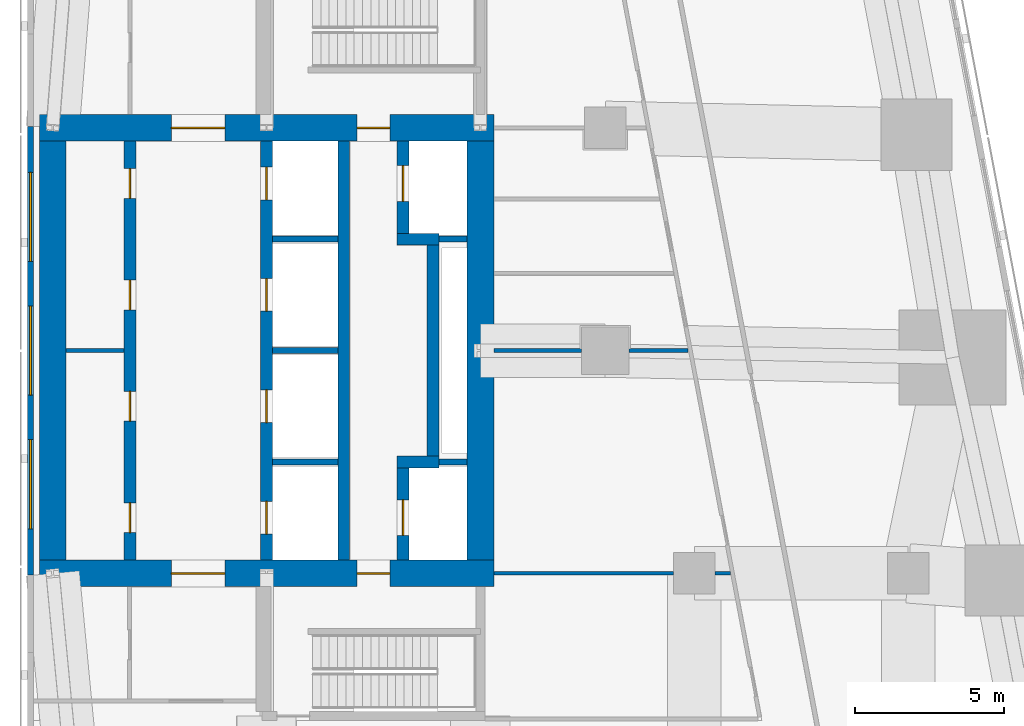
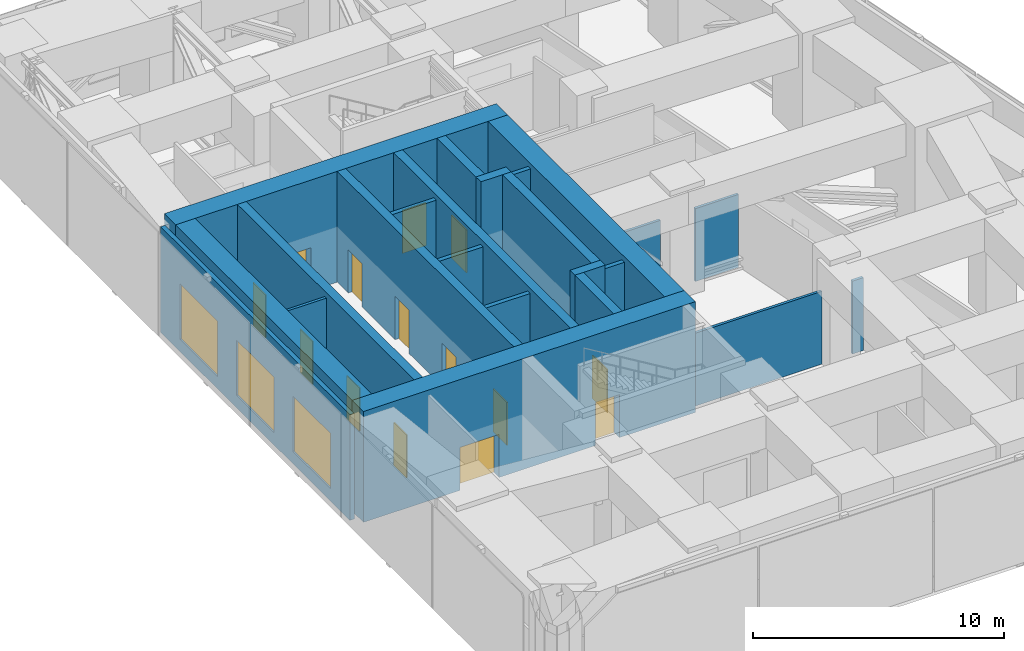
# One storey, part 5 of 9: 23 walls, 14 doors, 3 windows, 17 openings.
"""IFC4 building model written with IfcOpenShell, lengths in metres."""

from ifc_helpers import new_model, si_unit, direction, frame, frame_2d, origin, place, context, subcontext, project, spatial, rectangle, extrude, material, layer, layer_set, type_object, element, fill, save


model = new_model("IFC4")

# Units and contexts
model_context = context("Model", 3, precision=1e-05, world=origin(), true_north=direction((0.0, 1.0)))
body_context = subcontext(model_context, "Body", "Model", "MODEL_VIEW")
ifc_project = project(units=[si_unit("LENGTHUNIT", "METRE"), si_unit("AREAUNIT", "SQUARE_METRE"), si_unit("VOLUMEUNIT", "CUBIC_METRE"), si_unit("PLANEANGLEUNIT", "RADIAN"), si_unit("MASSUNIT", "GRAM", prefix="KILO")], contexts=[model_context])

# Site, building, storey
site_placement = place(None, origin())
site = spatial("IfcSite", under=ifc_project, at=site_placement, CompositionType="ELEMENT")
building_placement = place(site_placement, origin())
building = spatial("IfcBuilding", under=site, at=building_placement, Name="Sheger Commons Tower", CompositionType="ELEMENT")
storey_placement = place(building_placement, frame((0.0, 0.0, 246.199951171875)))
storey = spatial("IfcBuildingStorey", under=building, at=storey_placement, Name="L63", CompositionType="ELEMENT", Elevation=246.199951171875)

# Wall, openings, doors
ifc_material_1 = material(Name="Concrete C50/60", Category="concrete")
ifc_layer_1 = layer(ifc_material_1, 0.39990234375)
ifc_layer_set_1 = layer_set([ifc_layer_1], Name="CORE INNER WALL 400")
wall_type_1 = type_object("IfcWallType", Name="CORE INNER WALL 400", PredefinedType="SHEAR", material=ifc_layer_set_1)
wall_1_placement = place(storey_placement, frame((17.0, 15.449951171875, 0.0), z_axis=(0.0, 0.0, 1.0), x_axis=(0.0, 1.0, 0.0)))
wall_1 = element("IfcWall", 1, at=wall_1_placement, inside=storey, type_object=wall_type_1, Name="Core inner wall A L63", PredefinedType="SHEAR", context=body_context, shape_type="SweptSolid", body=[
    extrude(rectangle(XDim=14.10009765625, YDim=0.39990234375, at=frame_2d((7.050048828125, 0.0))), origin(), (0.0, 0.0, 1.0), 5.400146484375),
])
opening_1_placement = place(wall_1_placement, frame((0.925048828125, 0.0, 0.0)))
opening_1 = element("IfcOpeningElement", 2, at=opening_1_placement, cuts=wall_1, Name="Opening D4", PredefinedType="OPENING", context=body_context, shape_type="SweptSolid", body=[
    extrude(rectangle(XDim=1.0, YDim=2.10009765625, at=frame_2d((0.5, 1.050048828125))), frame((0.0, 0.2099609375, 0.0), z_axis=(0.0, -1.0, 0.0), x_axis=(1.0, 0.0, 0.0)), (0.0, 0.0, 1.0), 0.419921875),
])
opening_2_placement = place(wall_1_placement, frame((4.675048828125, 0.0, 0.0)))
opening_2 = element("IfcOpeningElement", 3, at=opening_2_placement, cuts=wall_1, Name="Opening D4", PredefinedType="OPENING", context=body_context, shape_type="SweptSolid", body=[
    extrude(rectangle(XDim=1.0, YDim=2.10009765625, at=frame_2d((0.5, 1.050048828125))), frame((0.0, 0.2099609375, 0.0), z_axis=(0.0, -1.0, 0.0), x_axis=(1.0, 0.0, 0.0)), (0.0, 0.0, 1.0), 0.419921875),
])
opening_3_placement = place(wall_1_placement, frame((8.425048828125, 0.0, 0.0)))
opening_3 = element("IfcOpeningElement", 4, at=opening_3_placement, cuts=wall_1, Name="Opening D4", PredefinedType="OPENING", context=body_context, shape_type="SweptSolid", body=[
    extrude(rectangle(XDim=1.0, YDim=2.10009765625, at=frame_2d((0.5, 1.050048828125))), frame((0.0, 0.2099609375, 0.0), z_axis=(0.0, -1.0, 0.0), x_axis=(1.0, 0.0, 0.0)), (0.0, 0.0, 1.0), 0.419921875),
])
opening_4_placement = place(wall_1_placement, frame((12.175048828125, 0.0, 0.0)))
opening_4 = element("IfcOpeningElement", 5, at=opening_4_placement, cuts=wall_1, Name="Opening D4", PredefinedType="OPENING", context=body_context, shape_type="SweptSolid", body=[
    extrude(rectangle(XDim=1.0, YDim=2.10009765625, at=frame_2d((0.5, 1.050048828125))), frame((0.0, 0.2099609375, 0.0), z_axis=(0.0, -1.0, 0.0), x_axis=(1.0, 0.0, 0.0)), (0.0, 0.0, 1.0), 0.419921875),
])
ifc_material_2 = material(Name="Steel door set, fire rated", Category="steel")
door_type_1 = type_object("IfcDoorType", Name="SERVICE DOOR 1000x2100", OperationType="NOTDEFINED", PredefinedType="DOOR", material=ifc_material_2)
door_1_placement = place(opening_1_placement, origin())
door_1 = element("IfcDoor", 6, at=door_1_placement, inside=storey, type_object=door_type_1, Name="Estate store door", OperationType="SINGLE_SWING_LEFT", OverallHeight=2.10009765625, OverallWidth=1.0, PredefinedType="DOOR", context=body_context, shape_type="SweptSolid", body=[
    extrude(rectangle(XDim=1.0, YDim=2.10009765625, at=frame_2d((0.5, 1.050048828125))), frame((0.0, 0.02490234375, 0.0), z_axis=(0.0, -1.0, 0.0), x_axis=(1.0, 0.0, 0.0)), (0.0, 0.0, 1.0), 0.050048828125),
])
fill(opening_1, door_1)
door_2_placement = place(opening_2_placement, origin())
door_2 = element("IfcDoor", 7, at=door_2_placement, inside=storey, type_object=door_type_1, Name="Estate store door", OperationType="SINGLE_SWING_RIGHT", OverallHeight=2.10009765625, OverallWidth=1.0, PredefinedType="DOOR", context=body_context, shape_type="SweptSolid", body=[
    extrude(rectangle(XDim=1.0, YDim=2.10009765625, at=frame_2d((0.5, 1.050048828125))), frame((0.0, 0.02490234375, 0.0), z_axis=(0.0, -1.0, 0.0), x_axis=(1.0, 0.0, 0.0)), (0.0, 0.0, 1.0), 0.050048828125),
])
fill(opening_2, door_2)
door_3_placement = place(opening_3_placement, origin())
door_3 = element("IfcDoor", 8, at=door_3_placement, inside=storey, type_object=door_type_1, Name="Electrical switch room door", OperationType="SINGLE_SWING_LEFT", OverallHeight=2.10009765625, OverallWidth=1.0, PredefinedType="DOOR", context=body_context, shape_type="SweptSolid", body=[
    extrude(rectangle(XDim=1.0, YDim=2.10009765625, at=frame_2d((0.5, 1.050048828125))), frame((0.0, 0.02490234375, 0.0), z_axis=(0.0, -1.0, 0.0), x_axis=(1.0, 0.0, 0.0)), (0.0, 0.0, 1.0), 0.050048828125),
])
fill(opening_3, door_3)
door_4_placement = place(opening_4_placement, origin())
door_4 = element("IfcDoor", 9, at=door_4_placement, inside=storey, type_object=door_type_1, Name="Electrical switch room door", OperationType="SINGLE_SWING_RIGHT", OverallHeight=2.10009765625, OverallWidth=1.0, PredefinedType="DOOR", context=body_context, shape_type="SweptSolid", body=[
    extrude(rectangle(XDim=1.0, YDim=2.10009765625, at=frame_2d((0.5, 1.050048828125))), frame((0.0, 0.02490234375, 0.0), z_axis=(0.0, -1.0, 0.0), x_axis=(1.0, 0.0, 0.0)), (0.0, 0.0, 1.0), 0.050048828125),
])
fill(opening_4, door_4)

wall_2_placement = place(storey_placement, frame((21.60009765625, 15.449951171875, 0.0), z_axis=(0.0, 0.0, 1.0), x_axis=(0.0, 1.0, 0.0)))
wall_2 = element("IfcWall", 10, at=wall_2_placement, inside=storey, type_object=wall_type_1, Name="Core inner wall L L63", PredefinedType="SHEAR", context=body_context, shape_type="SweptSolid", body=[
    extrude(rectangle(XDim=14.10009765625, YDim=0.39990234375, at=frame_2d((7.050048828125, 0.0))), origin(), (0.0, 0.0, 1.0), 5.400146484375),
])
opening_5_placement = place(wall_2_placement, frame((0.875, 0.0, 0.0)))
opening_5 = element("IfcOpeningElement", 11, at=opening_5_placement, cuts=wall_2, Name="Opening LD", PredefinedType="OPENING", context=body_context, shape_type="SweptSolid", body=[
    extrude(rectangle(XDim=1.10009765625, YDim=2.10009765625, at=frame_2d((0.550048828125, 1.050048828125))), frame((0.0, 0.2099609375, 0.0), z_axis=(0.0, -1.0, 0.0), x_axis=(1.0, 0.0, 0.0)), (0.0, 0.0, 1.0), 0.419921875),
])
opening_6_placement = place(wall_2_placement, frame((4.625, 0.0, 0.0)))
opening_6 = element("IfcOpeningElement", 12, at=opening_6_placement, cuts=wall_2, Name="Opening LD", PredefinedType="OPENING", context=body_context, shape_type="SweptSolid", body=[
    extrude(rectangle(XDim=1.10009765625, YDim=2.10009765625, at=frame_2d((0.550048828125, 1.050048828125))), frame((0.0, 0.2099609375, 0.0), z_axis=(0.0, -1.0, 0.0), x_axis=(1.0, 0.0, 0.0)), (0.0, 0.0, 1.0), 0.419921875),
])
opening_7_placement = place(wall_2_placement, frame((8.375, 0.0, 0.0)))
opening_7 = element("IfcOpeningElement", 13, at=opening_7_placement, cuts=wall_2, Name="Opening LD", PredefinedType="OPENING", context=body_context, shape_type="SweptSolid", body=[
    extrude(rectangle(XDim=1.10009765625, YDim=2.10009765625, at=frame_2d((0.550048828125, 1.050048828125))), frame((0.0, 0.2099609375, 0.0), z_axis=(0.0, -1.0, 0.0), x_axis=(1.0, 0.0, 0.0)), (0.0, 0.0, 1.0), 0.419921875),
])
opening_8_placement = place(wall_2_placement, frame((12.125, 0.0, 0.0)))
opening_8 = element("IfcOpeningElement", 14, at=opening_8_placement, cuts=wall_2, Name="Opening LD", PredefinedType="OPENING", context=body_context, shape_type="SweptSolid", body=[
    extrude(rectangle(XDim=1.10009765625, YDim=2.10009765625, at=frame_2d((0.550048828125, 1.050048828125))), frame((0.0, 0.2099609375, 0.0), z_axis=(0.0, -1.0, 0.0), x_axis=(1.0, 0.0, 0.0)), (0.0, 0.0, 1.0), 0.419921875),
])
ifc_material_3 = material(Name="Steel door set, fire rated", Category="steel")
door_type_2 = type_object("IfcDoorType", Name="LIFT LANDING DOOR 1100x2100", OperationType="DOUBLE_DOOR_SLIDING", PredefinedType="DOOR", material=ifc_material_3)
door_5_placement = place(opening_5_placement, origin())
door_5 = element("IfcDoor", 15, at=door_5_placement, inside=storey, type_object=door_type_2, Name="Lift LB1 landing door", OperationType="DOUBLE_DOOR_SLIDING", OverallHeight=2.10009765625, OverallWidth=1.10009765625, PredefinedType="DOOR", context=body_context, shape_type="SweptSolid", body=[
    extrude(rectangle(XDim=1.10009765625, YDim=2.10009765625, at=frame_2d((0.550048828125, 1.050048828125))), frame((0.0, 0.02490234375, 0.0), z_axis=(0.0, -1.0, 0.0), x_axis=(1.0, 0.0, 0.0)), (0.0, 0.0, 1.0), 0.050048828125),
])
fill(opening_5, door_5)
door_6_placement = place(opening_6_placement, origin())
door_6 = element("IfcDoor", 16, at=door_6_placement, inside=storey, type_object=door_type_2, Name="Lift LB2 landing door", OperationType="DOUBLE_DOOR_SLIDING", OverallHeight=2.10009765625, OverallWidth=1.10009765625, PredefinedType="DOOR", context=body_context, shape_type="SweptSolid", body=[
    extrude(rectangle(XDim=1.10009765625, YDim=2.10009765625, at=frame_2d((0.550048828125, 1.050048828125))), frame((0.0, 0.02490234375, 0.0), z_axis=(0.0, -1.0, 0.0), x_axis=(1.0, 0.0, 0.0)), (0.0, 0.0, 1.0), 0.050048828125),
])
fill(opening_6, door_6)
door_7_placement = place(opening_7_placement, origin())
door_7 = element("IfcDoor", 17, at=door_7_placement, inside=storey, type_object=door_type_2, Name="Lift LB3 landing door", OperationType="DOUBLE_DOOR_SLIDING", OverallHeight=2.10009765625, OverallWidth=1.10009765625, PredefinedType="DOOR", context=body_context, shape_type="SweptSolid", body=[
    extrude(rectangle(XDim=1.10009765625, YDim=2.10009765625, at=frame_2d((0.550048828125, 1.050048828125))), frame((0.0, 0.02490234375, 0.0), z_axis=(0.0, -1.0, 0.0), x_axis=(1.0, 0.0, 0.0)), (0.0, 0.0, 1.0), 0.050048828125),
])
fill(opening_7, door_7)
door_8_placement = place(opening_8_placement, origin())
door_8 = element("IfcDoor", 18, at=door_8_placement, inside=storey, type_object=door_type_2, Name="Lift LB4 landing door", OperationType="DOUBLE_DOOR_SLIDING", OverallHeight=2.10009765625, OverallWidth=1.10009765625, PredefinedType="DOOR", context=body_context, shape_type="SweptSolid", body=[
    extrude(rectangle(XDim=1.10009765625, YDim=2.10009765625, at=frame_2d((0.550048828125, 1.050048828125))), frame((0.0, 0.02490234375, 0.0), z_axis=(0.0, -1.0, 0.0), x_axis=(1.0, 0.0, 0.0)), (0.0, 0.0, 1.0), 0.050048828125),
])
fill(opening_8, door_8)

# Wall
wall_3_placement = place(storey_placement, frame((24.199951171875, 15.449951171875, 0.0), z_axis=(0.0, 0.0, 1.0), x_axis=(0.0, 1.0, 0.0)))
element("IfcWall", 19, at=wall_3_placement, inside=storey, type_object=wall_type_1, Name="Core inner wall B L63", PredefinedType="SHEAR", context=body_context, shape_type="SweptSolid", body=[
    extrude(rectangle(XDim=14.10009765625, YDim=0.39990234375, at=frame_2d((7.050048828125, 0.0))), origin(), (0.0, 0.0, 1.0), 5.400146484375),
])

# Wall, opening, door
wall_4_placement = place(storey_placement, frame((26.199951171875, 15.449951171875, 0.0), z_axis=(0.0, 0.0, 1.0), x_axis=(0.0, 1.0, 0.0)))
wall_4 = element("IfcWall", 20, at=wall_4_placement, inside=storey, type_object=wall_type_1, Name="Core inner wall F L63", PredefinedType="SHEAR", context=body_context, shape_type="SweptSolid", body=[
    extrude(rectangle(XDim=3.10009765625, YDim=0.39990234375, at=frame_2d((1.550048828125, 0.0))), origin(), (0.0, 0.0, 1.0), 5.400146484375),
])
opening_9_placement = place(wall_4_placement, frame((0.824951171875, 0.0, 0.0)))
opening_9 = element("IfcOpeningElement", 21, at=opening_9_placement, cuts=wall_4, Name="Opening LD2", PredefinedType="OPENING", context=body_context, shape_type="SweptSolid", body=[
    extrude(rectangle(XDim=1.199951171875, YDim=2.10009765625, at=frame_2d((0.60009765625, 1.050048828125))), frame((0.0, 0.2099609375, 0.0), z_axis=(0.0, -1.0, 0.0), x_axis=(1.0, 0.0, 0.0)), (0.0, 0.0, 1.0), 0.419921875),
])
ifc_material_4 = material(Name="Steel door set, fire rated", Category="steel")
door_type_3 = type_object("IfcDoorType", Name="FIREFIGHTING LIFT LANDING DOOR 1200x2100", OperationType="DOUBLE_DOOR_SLIDING", PredefinedType="DOOR", material=ifc_material_4)
door_9_placement = place(opening_9_placement, origin())
door_9 = element("IfcDoor", 22, at=door_9_placement, inside=storey, type_object=door_type_3, Name="Lift FL1 landing door", OperationType="DOUBLE_DOOR_SLIDING", OverallHeight=2.10009765625, OverallWidth=1.199951171875, PredefinedType="DOOR", context=body_context, shape_type="SweptSolid", body=[
    extrude(rectangle(XDim=1.199951171875, YDim=2.10009765625, at=frame_2d((0.60009765625, 1.050048828125))), frame((0.0, 0.02490234375, 0.0), z_axis=(0.0, -1.0, 0.0), x_axis=(1.0, 0.0, 0.0)), (0.0, 0.0, 1.0), 0.050048828125),
])
fill(opening_9, door_9)

# Walls
wall_5_placement = place(storey_placement, frame((26.0, 18.75, 0.0), z_axis=(0.0, 0.0, 1.0), x_axis=(1.0, 0.0, 0.0)))
element("IfcWall", 23, at=wall_5_placement, inside=storey, type_object=wall_type_1, Name="Core inner wall F south return L63", PredefinedType="SHEAR", context=body_context, shape_type="SweptSolid", body=[
    extrude(rectangle(XDim=1.39990234375, YDim=0.39990234375, at=frame_2d((0.699951171875, 0.0))), origin(), (0.0, 0.0, 1.0), 5.400146484375),
])
wall_6_placement = place(storey_placement, frame((27.199951171875, 18.949951171875, 0.0), z_axis=(0.0, 0.0, 1.0), x_axis=(0.0, 1.0, 0.0)))
element("IfcWall", 24, at=wall_6_placement, inside=storey, type_object=wall_type_1, Name="Core inner wall F middle L63", PredefinedType="SHEAR", context=body_context, shape_type="SweptSolid", body=[
    extrude(rectangle(XDim=7.10009765625, YDim=0.39990234375, at=frame_2d((3.550048828125, 0.0))), origin(), (0.0, 0.0, 1.0), 5.400146484375),
])
wall_7_placement = place(storey_placement, frame((26.0, 26.25, 0.0), z_axis=(0.0, 0.0, 1.0), x_axis=(1.0, 0.0, 0.0)))
element("IfcWall", 25, at=wall_7_placement, inside=storey, type_object=wall_type_1, Name="Core inner wall F north return L63", PredefinedType="SHEAR", context=body_context, shape_type="SweptSolid", body=[
    extrude(rectangle(XDim=1.39990234375, YDim=0.39990234375, at=frame_2d((0.699951171875, 0.0))), origin(), (0.0, 0.0, 1.0), 5.400146484375),
])

# Wall, opening, door
wall_8_placement = place(storey_placement, frame((26.199951171875, 26.449951171875, 0.0), z_axis=(0.0, 0.0, 1.0), x_axis=(0.0, 1.0, 0.0)))
wall_8 = element("IfcWall", 26, at=wall_8_placement, inside=storey, type_object=wall_type_1, Name="Core inner wall F north L63", PredefinedType="SHEAR", context=body_context, shape_type="SweptSolid", body=[
    extrude(rectangle(XDim=3.10009765625, YDim=0.39990234375, at=frame_2d((1.550048828125, 0.0))), origin(), (0.0, 0.0, 1.0), 5.400146484375),
])
opening_10_placement = place(wall_8_placement, frame((1.074951171875, 0.0, 0.0)))
opening_10 = element("IfcOpeningElement", 27, at=opening_10_placement, cuts=wall_8, Name="Opening LD2", PredefinedType="OPENING", context=body_context, shape_type="SweptSolid", body=[
    extrude(rectangle(XDim=1.199951171875, YDim=2.10009765625, at=frame_2d((0.60009765625, 1.050048828125))), frame((0.0, 0.2099609375, 0.0), z_axis=(0.0, -1.0, 0.0), x_axis=(1.0, 0.0, 0.0)), (0.0, 0.0, 1.0), 0.419921875),
])
door_10_placement = place(opening_10_placement, origin())
door_10 = element("IfcDoor", 28, at=door_10_placement, inside=storey, type_object=door_type_3, Name="Lift FL2 landing door", OperationType="DOUBLE_DOOR_SLIDING", OverallHeight=2.10009765625, OverallWidth=1.199951171875, PredefinedType="DOOR", context=body_context, shape_type="SweptSolid", body=[
    extrude(rectangle(XDim=1.199951171875, YDim=2.10009765625, at=frame_2d((0.60009765625, 1.050048828125))), frame((0.0, 0.02490234375, 0.0), z_axis=(0.0, -1.0, 0.0), x_axis=(1.0, 0.0, 0.0)), (0.0, 0.0, 1.0), 0.050048828125),
])
fill(opening_10, door_10)

# Wall, openings, doors
ifc_material_5 = material(Name="Concrete C50/60", Category="concrete")
ifc_layer_2 = layer(ifc_material_5, 0.89990234375)
ifc_layer_set_2 = layer_set([ifc_layer_2], Name="CORE WALL 900")
wall_type_2 = type_object("IfcWallType", Name="CORE WALL 900", PredefinedType="SHEAR", material=ifc_layer_set_2)
wall_9_placement = place(storey_placement, frame((13.949951171875, 15.0, 0.0), z_axis=(0.0, 0.0, 1.0), x_axis=(1.0, 0.0, 0.0)))
wall_9 = element("IfcWall", 29, at=wall_9_placement, inside=storey, type_object=wall_type_2, Name="Core wall south L63", PredefinedType="SHEAR", context=body_context, shape_type="SweptSolid", body=[
    extrude(rectangle(XDim=15.300048828125, YDim=0.89990234375, at=frame_2d((7.64990234375, 0.0))), origin(), (0.0, 0.0, 1.0), 5.400146484375),
])
opening_11_placement = place(wall_9_placement, frame((4.449951171875, 0.0, 0.0)))
opening_11 = element("IfcOpeningElement", 30, at=opening_11_placement, cuts=wall_9, Name="Opening D6", PredefinedType="OPENING", context=body_context, shape_type="SweptSolid", body=[
    extrude(rectangle(XDim=1.800048828125, YDim=2.10009765625, at=frame_2d((0.89990234375, 1.050048828125))), frame((0.0, 0.4599609375, 0.0), z_axis=(0.0, -1.0, 0.0), x_axis=(1.0, 0.0, 0.0)), (0.0, 0.0, 1.0), 0.919921875),
])
opening_12_placement = place(wall_9_placement, frame((10.699951171875, 0.0, 0.0)))
opening_12 = element("IfcOpeningElement", 31, at=opening_12_placement, cuts=wall_9, Name="Opening D5", PredefinedType="OPENING", context=body_context, shape_type="SweptSolid", body=[
    extrude(rectangle(XDim=1.10009765625, YDim=2.10009765625, at=frame_2d((0.550048828125, 1.050048828125))), frame((0.0, 0.4599609375, 0.0), z_axis=(0.0, -1.0, 0.0), x_axis=(1.0, 0.0, 0.0)), (0.0, 0.0, 1.0), 0.919921875),
])
ifc_material_6 = material(Name="Steel door set, fire rated", Category="steel")
door_type_4 = type_object("IfcDoorType", Name="LOBBY DOUBLE DOOR 1800x2100", OperationType="DOUBLE_DOOR_SINGLE_SWING", PredefinedType="DOOR", material=ifc_material_6)
door_11_placement = place(opening_11_placement, origin())
door_11 = element("IfcDoor", 32, at=door_11_placement, inside=storey, type_object=door_type_4, Name="Lift lobby door", OperationType="DOUBLE_DOOR_SINGLE_SWING", OverallHeight=2.10009765625, OverallWidth=1.800048828125, PredefinedType="DOOR", context=body_context, shape_type="SweptSolid", body=[
    extrude(rectangle(XDim=1.800048828125, YDim=2.10009765625, at=frame_2d((0.89990234375, 1.050048828125))), frame((0.0, 0.02490234375, 0.0), z_axis=(0.0, -1.0, 0.0), x_axis=(1.0, 0.0, 0.0)), (0.0, 0.0, 1.0), 0.050048828125),
])
fill(opening_11, door_11)
ifc_material_7 = material(Name="Steel door set, fire rated", Category="steel")
door_type_5 = type_object("IfcDoorType", Name="STAIR DOOR 1100x2100", OperationType="NOTDEFINED", PredefinedType="DOOR", material=ifc_material_7)
door_12_placement = place(opening_12_placement, origin())
door_12 = element("IfcDoor", 33, at=door_12_placement, inside=storey, type_object=door_type_5, Name="Fire-fighting lobby door", OperationType="SINGLE_SWING_LEFT", OverallHeight=2.10009765625, OverallWidth=1.10009765625, PredefinedType="DOOR", context=body_context, shape_type="SweptSolid", body=[
    extrude(rectangle(XDim=1.10009765625, YDim=2.10009765625, at=frame_2d((0.550048828125, 1.050048828125))), frame((0.0, 0.02490234375, 0.0), z_axis=(0.0, -1.0, 0.0), x_axis=(1.0, 0.0, 0.0)), (0.0, 0.0, 1.0), 0.050048828125),
])
fill(opening_12, door_12)

wall_10_placement = place(storey_placement, frame((13.949951171875, 30.0, 0.0), z_axis=(0.0, 0.0, 1.0), x_axis=(1.0, 0.0, 0.0)))
wall_10 = element("IfcWall", 34, at=wall_10_placement, inside=storey, type_object=wall_type_2, Name="Core wall north L63", PredefinedType="SHEAR", context=body_context, shape_type="SweptSolid", body=[
    extrude(rectangle(XDim=15.300048828125, YDim=0.89990234375, at=frame_2d((7.64990234375, 0.0))), origin(), (0.0, 0.0, 1.0), 5.400146484375),
])
opening_13_placement = place(wall_10_placement, frame((4.449951171875, 0.0, 0.0)))
opening_13 = element("IfcOpeningElement", 35, at=opening_13_placement, cuts=wall_10, Name="Opening D6", PredefinedType="OPENING", context=body_context, shape_type="SweptSolid", body=[
    extrude(rectangle(XDim=1.800048828125, YDim=2.10009765625, at=frame_2d((0.89990234375, 1.050048828125))), frame((0.0, 0.4599609375, 0.0), z_axis=(0.0, -1.0, 0.0), x_axis=(1.0, 0.0, 0.0)), (0.0, 0.0, 1.0), 0.919921875),
])
opening_14_placement = place(wall_10_placement, frame((10.699951171875, 0.0, 0.0)))
opening_14 = element("IfcOpeningElement", 36, at=opening_14_placement, cuts=wall_10, Name="Opening D5", PredefinedType="OPENING", context=body_context, shape_type="SweptSolid", body=[
    extrude(rectangle(XDim=1.10009765625, YDim=2.10009765625, at=frame_2d((0.550048828125, 1.050048828125))), frame((0.0, 0.4599609375, 0.0), z_axis=(0.0, -1.0, 0.0), x_axis=(1.0, 0.0, 0.0)), (0.0, 0.0, 1.0), 0.919921875),
])
door_13_placement = place(opening_13_placement, origin())
door_13 = element("IfcDoor", 37, at=door_13_placement, inside=storey, type_object=door_type_4, Name="Lift lobby door", OperationType="DOUBLE_DOOR_SINGLE_SWING", OverallHeight=2.10009765625, OverallWidth=1.800048828125, PredefinedType="DOOR", context=body_context, shape_type="SweptSolid", body=[
    extrude(rectangle(XDim=1.800048828125, YDim=2.10009765625, at=frame_2d((0.89990234375, 1.050048828125))), frame((0.0, 0.02490234375, 0.0), z_axis=(0.0, -1.0, 0.0), x_axis=(1.0, 0.0, 0.0)), (0.0, 0.0, 1.0), 0.050048828125),
])
fill(opening_13, door_13)
door_14_placement = place(opening_14_placement, origin())
door_14 = element("IfcDoor", 38, at=door_14_placement, inside=storey, type_object=door_type_5, Name="Fire-fighting lobby door", OperationType="SINGLE_SWING_LEFT", OverallHeight=2.10009765625, OverallWidth=1.10009765625, PredefinedType="DOOR", context=body_context, shape_type="SweptSolid", body=[
    extrude(rectangle(XDim=1.10009765625, YDim=2.10009765625, at=frame_2d((0.550048828125, 1.050048828125))), frame((0.0, 0.02490234375, 0.0), z_axis=(0.0, -1.0, 0.0), x_axis=(1.0, 0.0, 0.0)), (0.0, 0.0, 1.0), 0.050048828125),
])
fill(opening_14, door_14)

# Walls
for number, where, z_axis, x_axis, name in (
    (39, (14.39990234375, 15.449951171875, 0.0), (0.0, 0.0, 1.0), (0.0, 1.0, 0.0), "Core wall west L63"),
    (40, (28.800048828125, 15.449951171875, 0.0), (0.0, 0.0, 1.0), (0.0, 1.0, 0.0), "Core wall east L63"),
):
    element("IfcWall", number, at=place(storey_placement, frame(where, z_axis=z_axis, x_axis=x_axis)), inside=storey, type_object=wall_type_2, Name=name, PredefinedType="SHEAR", context=body_context, shape_type="SweptSolid", body=[
        extrude(rectangle(XDim=14.10009765625, YDim=0.89990234375, at=frame_2d((7.050048828125, 0.0))), origin(), (0.0, 0.0, 1.0), 5.400146484375),
    ])

# Wall, openings, windows
ifc_material_8 = material(Name="Rendered concrete block masonry, dark grey", Category="masonry")
ifc_layer_3 = layer(ifc_material_8, 0.199951171875)
ifc_layer_set_3 = layer_set([ifc_layer_3], Name="FACADE WALL 200")
wall_type_3 = type_object("IfcWallType", Name="FACADE WALL 200", PredefinedType="SOLIDWALL", material=ifc_layer_set_3)
wall_11_placement = place(storey_placement, frame((13.64990234375, 30.052001953125, 0.0), z_axis=(0.0, 0.0, 1.0), x_axis=(0.0, -1.0, 0.0)))
wall_11 = element("IfcWall", 41, at=wall_11_placement, inside=storey, type_object=wall_type_3, Name="Facade wall L63", PredefinedType="SOLIDWALL", context=body_context, shape_type="SweptSolid", body=[
    extrude(rectangle(XDim=15.114013671875, YDim=0.199951171875, at=frame_2d((7.55712890625, 0.0))), origin(), (0.0, 0.0, 1.0), 5.150146484375),
])
opening_15_placement = place(wall_11_placement, frame((1.552001953125, 0.0, 0.60009765625)))
opening_15 = element("IfcOpeningElement", 42, at=opening_15_placement, cuts=wall_11, Name="Opening LV2", PredefinedType="OPENING", context=body_context, shape_type="SweptSolid", body=[
    extrude(rectangle(XDim=3.0, YDim=2.699951171875, at=frame_2d((1.5, 1.35009765625))), frame((0.0, 0.10986328125, 0.0), z_axis=(0.0, -1.0, 0.0), x_axis=(1.0, 0.0, 0.0)), (0.0, 0.0, 1.0), 0.219970703125),
])
opening_16_placement = place(wall_11_placement, frame((6.052001953125, 0.0, 0.60009765625)))
opening_16 = element("IfcOpeningElement", 43, at=opening_16_placement, cuts=wall_11, Name="Opening LV2", PredefinedType="OPENING", context=body_context, shape_type="SweptSolid", body=[
    extrude(rectangle(XDim=3.0, YDim=2.699951171875, at=frame_2d((1.5, 1.35009765625))), frame((0.0, 0.10986328125, 0.0), z_axis=(0.0, -1.0, 0.0), x_axis=(1.0, 0.0, 0.0)), (0.0, 0.0, 1.0), 0.219970703125),
])
opening_17_placement = place(wall_11_placement, frame((10.552001953125, 0.0, 0.60009765625)))
opening_17 = element("IfcOpeningElement", 44, at=opening_17_placement, cuts=wall_11, Name="Opening LV2", PredefinedType="OPENING", context=body_context, shape_type="SweptSolid", body=[
    extrude(rectangle(XDim=3.0, YDim=2.699951171875, at=frame_2d((1.5, 1.35009765625))), frame((0.0, 0.10986328125, 0.0), z_axis=(0.0, -1.0, 0.0), x_axis=(1.0, 0.0, 0.0)), (0.0, 0.0, 1.0), 0.219970703125),
])
ifc_material_9 = material(Name="Black aluminium louvre", Category="aluminium")
window_type = type_object("IfcWindowType", Name="REFUGE FLOOR LOUVRE LV2 3000x2700", PartitioningType="SINGLE_PANEL", PredefinedType="USERDEFINED", material=ifc_material_9)
window_1_placement = place(opening_15_placement, origin())
window_1 = element("IfcWindow", 45, at=window_1_placement, inside=storey, type_object=window_type, Name="Refuge Floor Louvre Lv2 3000X2700", ObjectType="LOUVRE", OverallHeight=2.699951171875, OverallWidth=3.0, PartitioningType="SINGLE_PANEL", PredefinedType="USERDEFINED", context=body_context, shape_type="SweptSolid", body=[
    extrude(rectangle(XDim=3.0, YDim=2.699951171875, at=frame_2d((1.5, 1.35009765625))), frame((0.0, 0.030029296875, 0.0), z_axis=(0.0, -1.0, 0.0), x_axis=(1.0, 0.0, 0.0)), (0.0, 0.0, 1.0), 0.06005859375),
])
fill(opening_15, window_1)
window_2_placement = place(opening_16_placement, origin())
window_2 = element("IfcWindow", 46, at=window_2_placement, inside=storey, type_object=window_type, Name="Refuge Floor Louvre Lv2 3000X2700", ObjectType="LOUVRE", OverallHeight=2.699951171875, OverallWidth=3.0, PartitioningType="SINGLE_PANEL", PredefinedType="USERDEFINED", context=body_context, shape_type="SweptSolid", body=[
    extrude(rectangle(XDim=3.0, YDim=2.699951171875, at=frame_2d((1.5, 1.35009765625))), frame((0.0, 0.030029296875, 0.0), z_axis=(0.0, -1.0, 0.0), x_axis=(1.0, 0.0, 0.0)), (0.0, 0.0, 1.0), 0.06005859375),
])
fill(opening_16, window_2)
window_3_placement = place(opening_17_placement, origin())
window_3 = element("IfcWindow", 47, at=window_3_placement, inside=storey, type_object=window_type, Name="Refuge Floor Louvre Lv2 3000X2700", ObjectType="LOUVRE", OverallHeight=2.699951171875, OverallWidth=3.0, PartitioningType="SINGLE_PANEL", PredefinedType="USERDEFINED", context=body_context, shape_type="SweptSolid", body=[
    extrude(rectangle(XDim=3.0, YDim=2.699951171875, at=frame_2d((1.5, 1.35009765625))), frame((0.0, 0.030029296875, 0.0), z_axis=(0.0, -1.0, 0.0), x_axis=(1.0, 0.0, 0.0)), (0.0, 0.0, 1.0), 0.06005859375),
])
fill(opening_17, window_3)

# Walls
ifc_material_10 = material(Name="Gypsum board on steel studs, two layers each side, fire rated", Category="steel")
ifc_layer_4 = layer(ifc_material_10, 0.125)
ifc_layer_set_4 = layer_set([ifc_layer_4], Name="SERVICE WALL 125")
wall_type_4 = type_object("IfcWallType", Name="SERVICE WALL 125", PredefinedType="PARTITIONING", material=ifc_layer_set_4)
wall_12_placement = place(storey_placement, frame((29.25, 15.0, 0.0), z_axis=(0.0, 0.0, 1.0), x_axis=(1.0, 0.0, 0.0)))
element("IfcWall", 48, at=wall_12_placement, inside=storey, type_object=wall_type_4, Name="Service room wall L63", PredefinedType="PARTITIONING", context=body_context, shape_type="SweptSolid", body=[
    extrude(rectangle(XDim=6.049072265625, YDim=0.125, at=frame_2d((3.0244140625, 0.0))), origin(), (0.0, 0.0, 1.0), 3.550048828125),
])
wall_13_placement = place(storey_placement, frame((36.700927734375, 15.0, 0.0), z_axis=(0.0, 0.0, 1.0), x_axis=(1.0, 0.0, 0.0)))
element("IfcWall", 49, at=wall_13_placement, inside=storey, type_object=wall_type_4, Name="Service room wall L63", PredefinedType="PARTITIONING", context=body_context, shape_type="SweptSolid", body=[
    extrude(rectangle(XDim=0.511962890625, YDim=0.125, at=frame_2d((0.255859375, 0.0))), origin(), (0.0, 0.0, 1.0), 3.550048828125),
])
wall_14_placement = place(storey_placement, frame((29.25, 22.5, 0.0), z_axis=(0.0, 0.0, 1.0), x_axis=(1.0, 0.0, 0.0)))
element("IfcWall", 50, at=wall_14_placement, inside=storey, type_object=wall_type_4, Name="Service room wall L63", PredefinedType="PARTITIONING", context=body_context, shape_type="SweptSolid", body=[
    extrude(rectangle(XDim=2.948974609375, YDim=0.125, at=frame_2d((1.474609375, 0.0))), origin(), (0.0, 0.0, 1.0), 3.550048828125),
])
wall_15_placement = place(storey_placement, frame((33.801025390625, 22.5, 0.0), z_axis=(0.0, 0.0, 1.0), x_axis=(1.0, 0.0, 0.0)))
element("IfcWall", 51, at=wall_15_placement, inside=storey, type_object=wall_type_4, Name="Service room wall L63", PredefinedType="PARTITIONING", context=body_context, shape_type="SweptSolid", body=[
    extrude(rectangle(XDim=1.994873046875, YDim=0.125, at=frame_2d((0.99755859375, 0.0))), origin(), (0.0, 0.0, 1.0), 3.550048828125),
])
wall_16_placement = place(storey_placement, frame((14.85009765625, 22.5, 0.0), z_axis=(0.0, 0.0, 1.0), x_axis=(1.0, 0.0, 0.0)))
element("IfcWall", 52, at=wall_16_placement, inside=storey, type_object=wall_type_4, Name="Service room wall L63", PredefinedType="PARTITIONING", context=body_context, shape_type="SweptSolid", body=[
    extrude(rectangle(XDim=1.949951171875, YDim=0.125, at=frame_2d((0.97509765625, 0.0))), origin(), (0.0, 0.0, 1.0), 5.150146484375),
])
ifc_material_11 = material(Name="Hollow concrete block masonry", Category="masonry")
ifc_layer_5 = layer(ifc_material_11, 0.199951171875)
ifc_layer_set_5 = layer_set([ifc_layer_5], Name="SHAFT WALL 200")
wall_type_5 = type_object("IfcWallType", Name="SHAFT WALL 200", PredefinedType="SOLIDWALL", material=ifc_layer_set_5)
for number, where, z_axis, x_axis, name in (
    (53, (21.800048828125, 18.75, 0.0), (0.0, 0.0, 1.0), (1.0, 0.0, 0.0), "Lift shaft wall L63"),
    (54, (21.800048828125, 22.5, 0.0), (0.0, 0.0, 1.0), (1.0, 0.0, 0.0), "Lift shaft wall L63"),
    (55, (21.800048828125, 26.25, 0.0), (0.0, 0.0, 1.0), (1.0, 0.0, 0.0), "Lift shaft wall L63"),
):
    element("IfcWall", number, at=place(storey_placement, frame(where, z_axis=z_axis, x_axis=x_axis)), inside=storey, type_object=wall_type_5, Name=name, PredefinedType="SOLIDWALL", context=body_context, shape_type="SweptSolid", body=[
        extrude(rectangle(XDim=2.199951171875, YDim=0.199951171875, at=frame_2d((1.10009765625, 0.0))), origin(), (0.0, 0.0, 1.0), 5.150146484375),
    ])
for number, where, z_axis, x_axis, name in (
    (56, (27.39990234375, 18.75, 0.0), (0.0, 0.0, 1.0), (1.0, 0.0, 0.0), "Lift shaft wall L63"),
    (57, (27.39990234375, 26.25, 0.0), (0.0, 0.0, 1.0), (1.0, 0.0, 0.0), "Lift shaft wall L63"),
):
    element("IfcWall", number, at=place(storey_placement, frame(where, z_axis=z_axis, x_axis=x_axis)), inside=storey, type_object=wall_type_5, Name=name, PredefinedType="SOLIDWALL", context=body_context, shape_type="SweptSolid", body=[
        extrude(rectangle(XDim=0.9501953125, YDim=0.199951171875, at=frame_2d((0.47509765625, 0.0))), origin(), (0.0, 0.0, 1.0), 5.150146484375),
    ])

save(model, "model.ifc")
